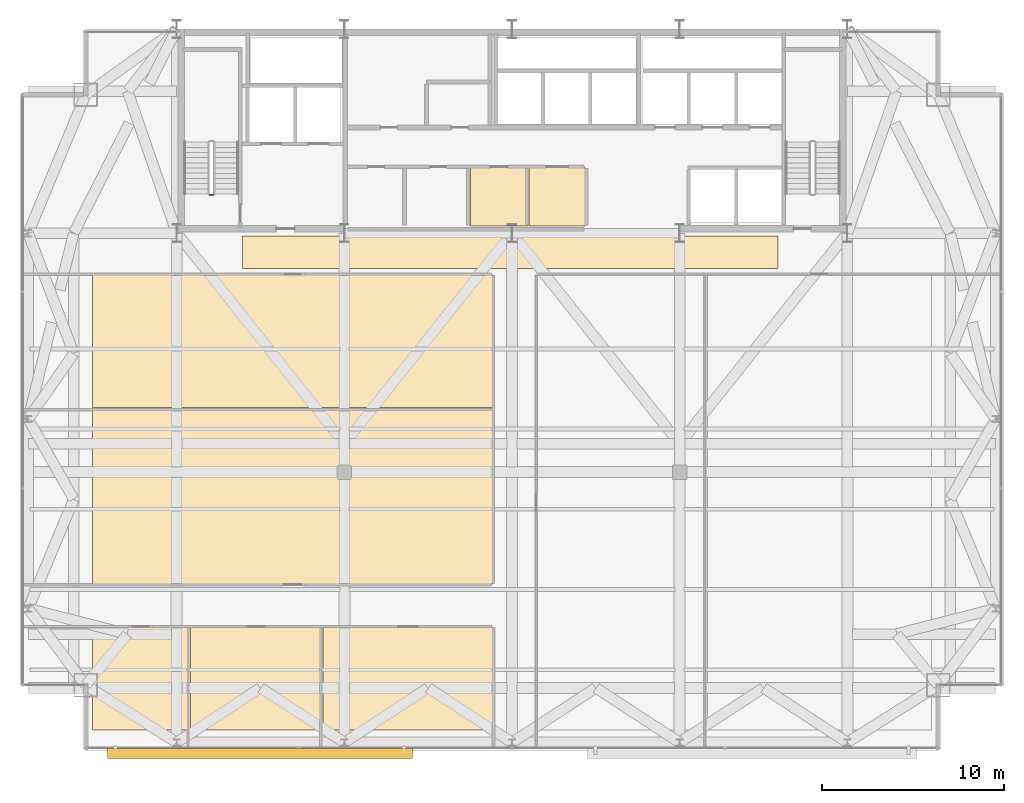
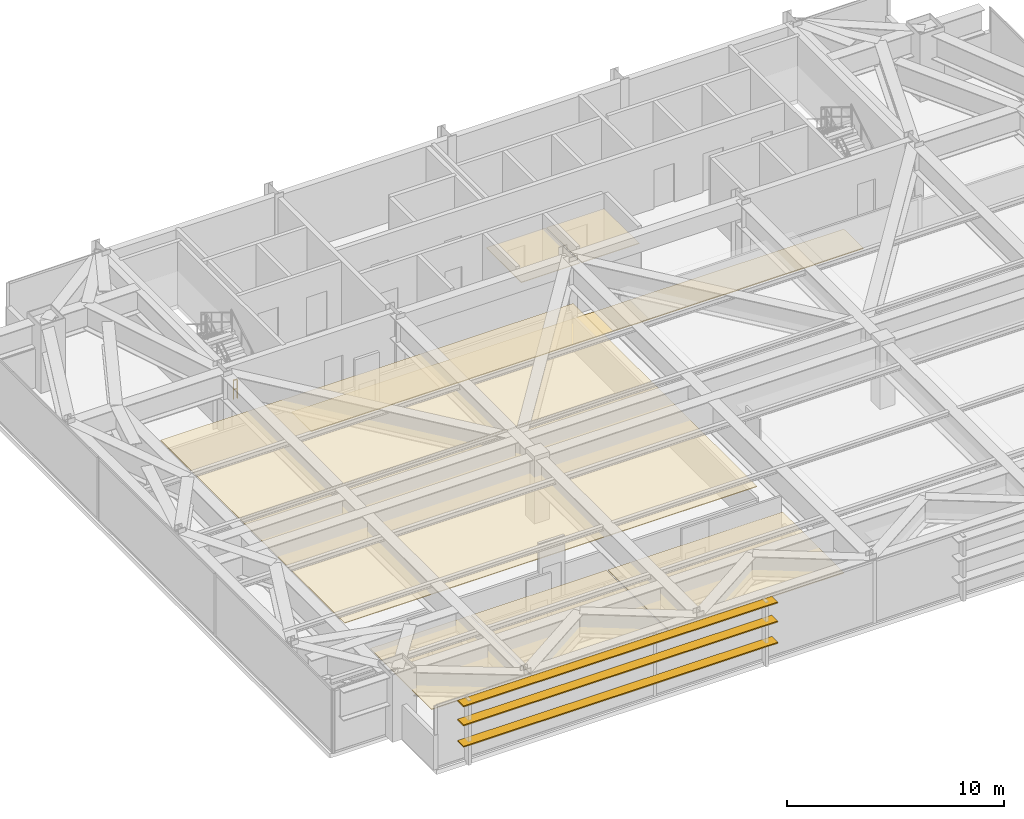
# One storey, part 25 of 26: 8 coverings, 3 shading devices, 1 railing.
"""IFC4 building model written with IfcOpenShell, lengths in metres."""

from ifc_helpers import new_model, si_unit, direction, frame, origin, origin_2d, place, context, subcontext, project, spatial, polyline, rectangle, outline, extrude, source, transform, mapped, material, layer, layer_set, type_object, type_shapes, element, save


model = new_model("IFC4")

# Units and contexts
model_context = context("Model", 3, precision=1e-05, world=origin(), true_north=direction((0.0, 1.0)))
body_context = subcontext(model_context, "Body", "Model", "MODEL_VIEW")
ifc_project = project(units=[si_unit("LENGTHUNIT", "METRE"), si_unit("AREAUNIT", "SQUARE_METRE"), si_unit("VOLUMEUNIT", "CUBIC_METRE"), si_unit("PLANEANGLEUNIT", "RADIAN"), si_unit("MASSUNIT", "GRAM", prefix="KILO")], contexts=[model_context])

# Site, building, storey
site_placement = place(None, origin())
site = spatial("IfcSite", under=ifc_project, at=site_placement, CompositionType="ELEMENT")
building_placement = place(site_placement, origin())
building = spatial("IfcBuilding", under=site, at=building_placement, Name="Varnel Quay Broadcast Tower", CompositionType="ELEMENT")
storey_placement = place(building_placement, frame((0.0, 0.0, 196.0)))
storey = spatial("IfcBuildingStorey", under=building, at=storey_placement, Name="L48", CompositionType="ELEMENT", Elevation=196.0)

# Coverings
ifc_material_1 = material(Name="Micro-Perforated Acoustic Ceiling Tile")
ifc_layer_1 = layer(ifc_material_1, 0.0400390625, Name="Micro-Perforated Acoustic Ceiling Tile")
ifc_layer_set_1 = layer_set([ifc_layer_1], Name="Micro-Perforated Acoustic Ceiling Tile")
covering_type_1 = type_object("IfcCoveringType", Name="Cov_AcousticCeiling", PredefinedType="CEILING", material=ifc_layer_set_1)
covering_1_placement = place(storey_placement, frame((0.0, 0.0, 2.580078125)))
element("IfcCovering", 1, at=covering_1_placement, inside=storey, type_object=covering_type_1, Name="L48 Broadcast First-Aid & Quiet Room Acoustic Ceiling", PredefinedType="CEILING", context=body_context, shape_type="SweptSolid", body=[
    extrude(outline(polyline([(31.735107421875, 35.985107421875), (34.864990234375, 35.985107421875), (34.864990234375, 39.215087890625), (31.735107421875, 39.215087890625), (31.735107421875, 35.985107421875)])), origin(), (0.0, 0.0, 1.0), 0.0400390625),
])
covering_2_placement = place(storey_placement, frame((0.0, 0.0, 2.580078125)))
element("IfcCovering", 2, at=covering_2_placement, inside=storey, type_object=covering_type_1, Name="L48 Zone Lighting Dimmer Room Acoustic Ceiling", PredefinedType="CEILING", context=body_context, shape_type="SweptSolid", body=[
    extrude(outline(polyline([(34.93505859375, 35.985107421875), (38.014892578125, 35.985107421875), (38.014892578125, 39.215087890625), (34.93505859375, 39.215087890625), (34.93505859375, 35.985107421875)])), origin(), (0.0, 0.0, 1.0), 0.0400390625),
])
covering_3_placement = place(storey_placement, frame((0.0, 0.0, 2.580078125)))
element("IfcCovering", 3, at=covering_3_placement, inside=storey, type_object=covering_type_1, Name="L48 Ingest Vault Store 1 Acoustic Ceiling", PredefinedType="CEILING", context=body_context, shape_type="SweptSolid", body=[
    extrude(outline(polyline([(10.985107421875, 8.324951171875), (16.284912109375, 8.324951171875), (16.284912109375, 13.97509765625), (10.985107421875, 13.97509765625), (10.985107421875, 8.324951171875)])), origin(), (0.0, 0.0, 1.0), 0.0400390625),
])
covering_4_placement = place(storey_placement, frame((0.0, 0.0, 2.580078125)))
element("IfcCovering", 4, at=covering_4_placement, inside=storey, type_object=covering_type_1, Name="L48 Color Timing Suite 2 Acoustic Ceiling", PredefinedType="CEILING", context=body_context, shape_type="SweptSolid", body=[
    extrude(outline(polyline([(16.35498046875, 8.324951171875), (23.56494140625, 8.324951171875), (23.56494140625, 13.97509765625), (16.35498046875, 13.97509765625), (16.35498046875, 8.324951171875)])), origin(), (0.0, 0.0, 1.0), 0.0400390625),
])
covering_5_placement = place(storey_placement, frame((0.0, 0.0, 2.580078125)))
element("IfcCovering", 5, at=covering_5_placement, inside=storey, type_object=covering_type_1, Name="L48 Screening Meeting Room 3 Acoustic Ceiling", PredefinedType="CEILING", context=body_context, shape_type="SweptSolid", body=[
    extrude(outline(polyline([(23.635009765625, 8.324951171875), (32.945068359375, 8.324951171875), (32.945068359375, 13.97509765625), (23.635009765625, 13.97509765625), (23.635009765625, 8.324951171875)])), origin(), (0.0, 0.0, 1.0), 0.0400390625),
])
covering_6_placement = place(storey_placement, frame((0.0, 0.0, 2.580078125)))
element("IfcCovering", 6, at=covering_6_placement, inside=storey, type_object=covering_type_1, Name="L48 Producer Lounge 4 Acoustic Ceiling", PredefinedType="CEILING", context=body_context, shape_type="SweptSolid", body=[
    extrude(outline(polyline([(10.985107421875, 16.344970703125), (32.945068359375, 16.344970703125), (32.945068359375, 25.97509765625), (10.985107421875, 25.97509765625), (10.985107421875, 16.344970703125)])), origin(), (0.0, 0.0, 1.0), 0.0400390625),
])
covering_7_placement = place(storey_placement, frame((0.0, 0.0, 2.580078125)))
element("IfcCovering", 7, at=covering_7_placement, inside=storey, type_object=covering_type_1, Name="L48 Tea Kitchen 5 Acoustic Ceiling", PredefinedType="CEILING", context=body_context, shape_type="SweptSolid", body=[
    extrude(outline(polyline([(10.985107421875, 26.044921875), (32.945068359375, 26.044921875), (32.945068359375, 33.31494140625), (10.985107421875, 33.31494140625), (10.985107421875, 26.044921875)])), origin(), (0.0, 0.0, 1.0), 0.0400390625),
])
ifc_material_2 = material(Name="Polished Terrazzo & Broadcast Raised Flooring")
ifc_layer_2 = layer(ifc_material_2, 0.0400390625, Name="Polished Terrazzo & Broadcast Raised Flooring")
ifc_layer_set_2 = layer_set([ifc_layer_2], Name="Polished Terrazzo & Broadcast Raised Flooring")
covering_type_2 = type_object("IfcCoveringType", Name="Cov_TerrazzoFloor", PredefinedType="FLOORING", material=ifc_layer_set_2)
covering_8_placement = place(storey_placement, origin())
element("IfcCovering", 8, at=covering_8_placement, inside=storey, type_object=covering_type_2, Name="L48 Corridor Terrazzo Flooring", PredefinedType="FLOORING", context=body_context, shape_type="SweptSolid", body=[
    extrude(outline(polyline([(19.199951171875, 33.64990234375), (48.60009765625, 33.64990234375), (48.60009765625, 35.449951171875), (19.199951171875, 35.449951171875), (19.199951171875, 33.64990234375)])), origin(), (0.0, 0.0, 1.0), 0.0400390625),
])

# Railing
ifc_material_3 = material(Name="Painted Steel Guard and Handrail CSA G40.21 350W", Category="steel")
railing_type = type_object("IfcRailingType", Name="Rail_StairGuard1100", PredefinedType="GUARDRAIL", material=ifc_material_3)
railing_placement = place(storey_placement, frame((17.60009765625, 37.699951171875, 0.0)))
element("IfcRailing", 9, at=railing_placement, inside=storey, type_object=railing_type, Name="L48 ST-01 stair guard 4", PredefinedType="GUARDRAIL", context=body_context, shape_type="SweptSolid", body=[
    extrude(rectangle(XDim=0.048095703125, YDim=0.048095703125, at=origin_2d()), frame((0.0, 0.0, 1.076171875), z_axis=(-1.0, 0.0, 0.0), x_axis=(0.0, -1.0, 0.0)), (0.0, 0.0, 1.0), 0.2001953125),
    extrude(rectangle(XDim=0.048095703125, YDim=0.048095703125, at=origin_2d()), frame((0.0, 0.0, 0.550048828125), z_axis=(-1.0, 0.0, 0.0), x_axis=(0.0, -1.0, 0.0)), (0.0, 0.0, 1.0), 0.2001953125),
    extrude(rectangle(XDim=0.0419921875, YDim=0.0419921875, at=origin_2d()), origin(), (0.0, 0.0, 1.0), 1.052001953125),
    extrude(rectangle(XDim=0.0419921875, YDim=0.0419921875, at=origin_2d()), frame((-0.2001953125, 0.0, 0.0)), (0.0, 0.0, 1.0), 1.052001953125),
])

# Shading devices
ifc_material_4 = material(Name="Bronze-Terracotta Extruded Ceramic Blade", Category="masonry")
ifc_layer_3 = layer(ifc_material_4, 0.06494140625, Name="Bronze-Terracotta Extruded Ceramic Blade")
ifc_layer_set_3 = layer_set([ifc_layer_3], Name="Bronze-Terracotta Extruded Ceramic Blade")
shading_device_type = type_object("IfcShadingDeviceType", Name="Shade_LouvreBlade550", PredefinedType="JALOUSIE", material=ifc_layer_set_3)
shared_shape = source(origin(), body_context, "Body", "SweptSolid", [
    extrude(rectangle(XDim=16.73095703125, YDim=0.550048828125, at=origin_2d()), origin(), (0.0, 0.0, 1.0), 0.06494140625),
])
type_shapes(shading_device_type, [shared_shape])
for number, where, z_axis, x_axis, name in (
    (10, (20.166015625, 7.06005859375, 1.117431640625), (0.0, 0.0, 1.0), (1.0, 0.0, 0.0), "L48 Lobe 1 Horizontal Louvre Blade 1"),
    (11, (20.166015625, 7.06005859375, 2.317626953125), (0.0, 0.0, 1.0), (1.0, 0.0, 0.0), "L48 Lobe 1 Horizontal Louvre Blade 2"),
    (12, (20.166015625, 7.06005859375, 3.387451171875), (0.0, 0.0, 1.0), (1.0, 0.0, 0.0), "L48 Lobe 1 Horizontal Louvre Blade 3"),
):
    element("IfcShadingDevice", number, at=place(storey_placement, frame(where, z_axis=z_axis, x_axis=x_axis)), inside=storey, type_object=shading_device_type, Name=name, PredefinedType="JALOUSIE", context=body_context, shape_type="MappedRepresentation", body=[
        mapped(shared_shape, transform((0.0, 0.0, 0.0), x_axis=(1.0, 0.0, 0.0), y_axis=(0.0, 1.0, 0.0), z_axis=(0.0, 0.0, 1.0), scale=1.0)),
    ])

save(model, "model.ifc")
